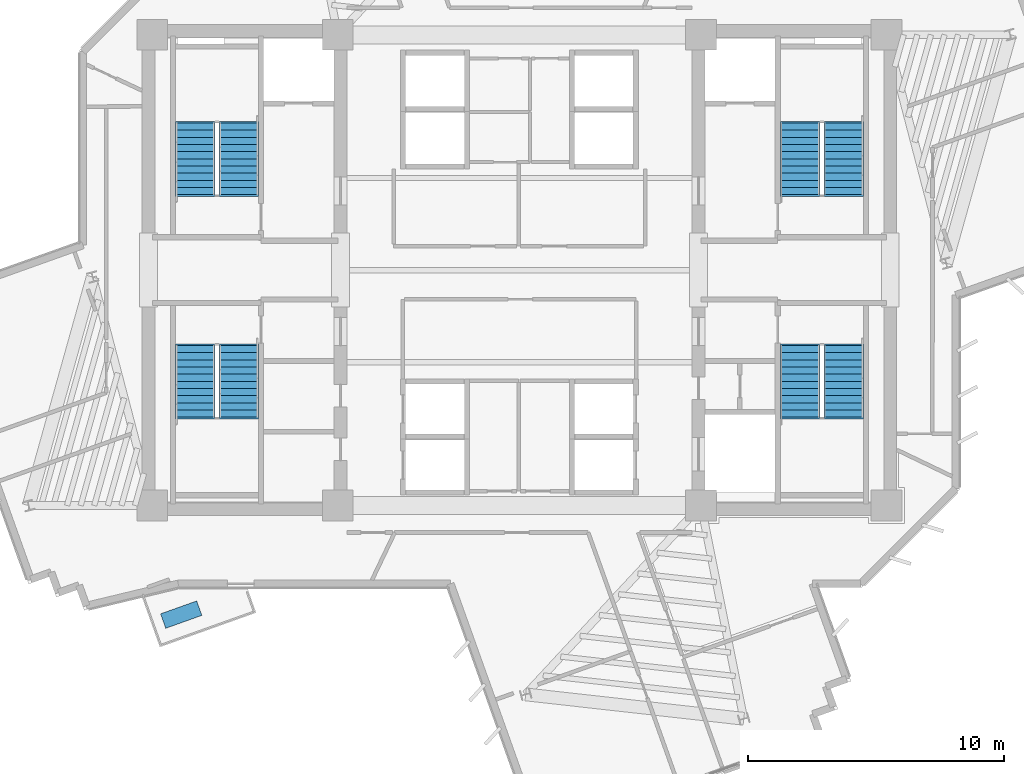
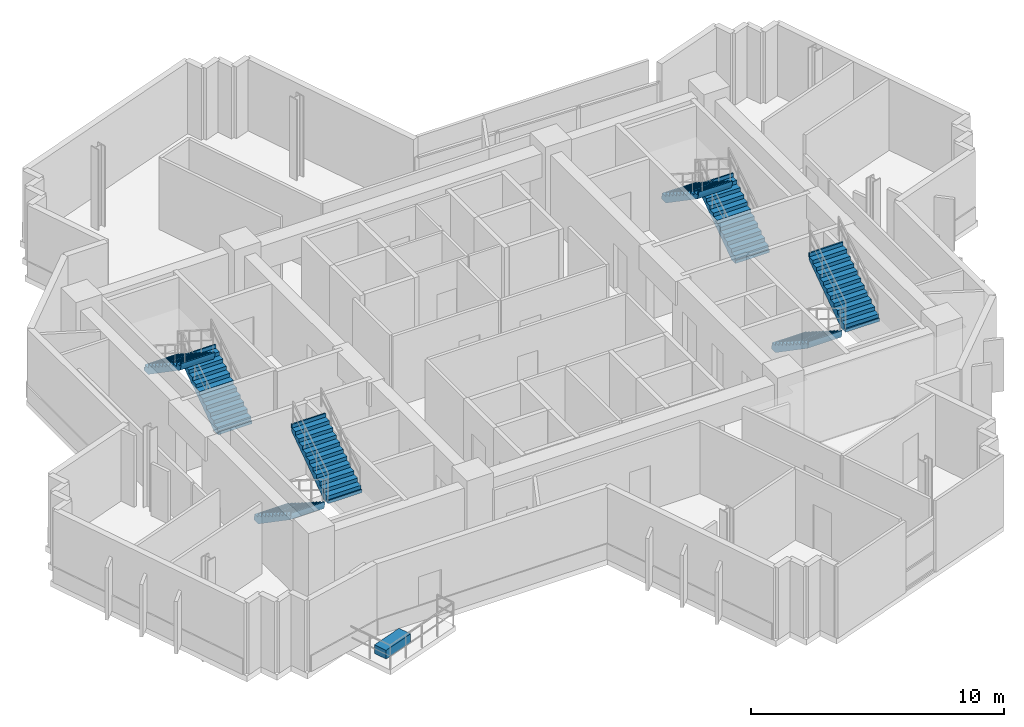
# One storey, part 10 of 13: 8 stair flights, 1 discrete accessory, 4 elements without a shape of their own.
"""IFC4 building model written with IfcOpenShell, lengths in metres."""

import ifcopenshell
import ifcopenshell.guid

model = None  # the IFC model being written
_history = None  # IfcOwnerHistory: only IFC2X3 demands one
_inside = {}  # id of a spatial element -> (the spatial element, [elements in it])
_under = {}  # id of a project, library or spatial element -> (it, [spatial elements below it])
_declared = {}  # id of a project -> (the project, [libraries it declares])
_typed = {}  # id of a type object -> (the type object, [elements of that type])
_made_of = {}  # id of a material, layer set ... -> (it, [elements and type objects made of it])


def new_model(schema):
    """Start an empty IFC model of exactly this schema.

    Asked for "IFC4X3", IfcOpenShell would pick the latest addendum, in which some entities
    have other attributes; the version numbers below select the first issue.
    IFC2X3 requires an IfcOwnerHistory on every rooted entity: one is made here for all.
    """
    global model, _history
    if schema == "IFC4X3":
        model = ifcopenshell.file(schema_version=(4, 3, 0, 0))
    else:
        model = ifcopenshell.file(schema=schema)
    _inside.clear()
    _under.clear()
    _declared.clear()
    _typed.clear()
    _made_of.clear()
    _history = None
    if model.schema == "IFC2X3":
        org = make("IfcOrganization", Name="unknown")
        user = make(
            "IfcPersonAndOrganization",
            ThePerson=make("IfcPerson", FamilyName="unknown"),
            TheOrganization=org,
        )
        app = make(
            "IfcApplication",
            ApplicationDeveloper=org,
            Version="unknown",
            ApplicationFullName="unknown",
            ApplicationIdentifier="unknown",
        )
        _history = make(
            "IfcOwnerHistory",
            OwningUser=user,
            OwningApplication=app,
            ChangeAction="ADDED",
            CreationDate=0,
        )
    return model


def make(cls, **values):
    """One entity of the class cls with the attributes given. An attribute that is None is left unset."""
    return model.create_entity(
        cls, **{name: value for name, value in values.items() if value is not None}
    )


def rooted(cls, **values):
    """An entity with a GlobalId (a new one), such as an element, a storey or a relation."""
    return make(cls, GlobalId=ifcopenshell.guid.new(), OwnerHistory=_history, **values)


def si_unit(unit_type, name, prefix=None):
    """IfcSIUnit, for example si_unit("LENGTHUNIT", "METRE", prefix="MILLI")."""
    return make("IfcSIUnit", UnitType=unit_type, Prefix=prefix, Name=name)


def assignment(units):
    """IfcUnitAssignment: the units of a project."""
    return None if units is None else make("IfcUnitAssignment", Units=units)


def point(xyz):
    """IfcCartesianPoint."""
    return None if xyz is None else make("IfcCartesianPoint", Coordinates=xyz)


def direction(xyz):
    """IfcDirection."""
    return None if xyz is None else make("IfcDirection", DirectionRatios=xyz)


def frame(location, z_axis=None, x_axis=None):
    """IfcAxis2Placement3D, a coordinate frame: its origin and axes. An axis left out is left unset."""
    return make(
        "IfcAxis2Placement3D",
        Location=point(location),
        Axis=direction(z_axis),
        RefDirection=direction(x_axis),
    )


def frame_2d(location, x_axis=None):
    """IfcAxis2Placement2D, a coordinate frame in the plane: its origin and x axis."""
    return make(
        "IfcAxis2Placement2D", Location=point(location), RefDirection=direction(x_axis)
    )


def origin():
    """The frame at (0, 0, 0) with its axes left unset."""
    return frame((0.0, 0.0, 0.0))


def origin_2d():
    """The frame at (0, 0) in the plane with its x axis left unset."""
    return frame_2d((0.0, 0.0))


def place(relative_to, where):
    """IfcLocalPlacement: puts the frame where relative to a parent placement (None: the world)."""
    return make(
        "IfcLocalPlacement", PlacementRelTo=relative_to, RelativePlacement=where
    )


def context(
    kind, dimensions, precision=None, world=None, true_north=None, identifier=None
):
    """IfcGeometricRepresentationContext, for example the 3D "Model" context."""
    return make(
        "IfcGeometricRepresentationContext",
        ContextIdentifier=identifier,
        ContextType=kind,
        CoordinateSpaceDimension=dimensions,
        Precision=precision,
        WorldCoordinateSystem=world,
        TrueNorth=true_north,
    )


def subcontext(parent, identifier, kind, view, scale=None):
    """IfcGeometricRepresentationSubContext, for example "Body" below "Model"."""
    return make(
        "IfcGeometricRepresentationSubContext",
        ContextIdentifier=identifier,
        ContextType=kind,
        ParentContext=parent,
        TargetScale=scale,
        TargetView=view,
    )


def project(units=None, contexts=None):
    """IfcProject with its units and contexts."""
    return rooted(
        "IfcProject",
        Name="project",
        RepresentationContexts=contexts,
        UnitsInContext=assignment(units),
    )


def spatial(cls, under=None, at=None, **own):
    """A site, building, storey or space (cls), placed at a placement, below another one or the project."""
    s = rooted(cls, ObjectPlacement=at, **own)
    if under is not None:
        _under.setdefault(under.id(), (under, []))[1].append(s)
    return s


def polyline(points):
    """IfcPolyline through the points."""
    return make("IfcPolyline", Points=[point(p) for p in points])


def profile(cls, at=None, kind="AREA", **sizes):
    """A parametric profile (cls). Its sizes go by their IFC names, for example OverallWidth=200.0."""
    return make(cls, ProfileType=kind, Position=at, **sizes)


def rectangle(**sizes):
    """IfcRectangleProfileDef."""
    return profile("IfcRectangleProfileDef", **sizes)


def outline(outer, holes=None, kind="AREA"):
    """IfcArbitraryClosedProfileDef: a profile drawn as a closed curve; with holes, ...WithVoids."""
    if holes is None:
        return make("IfcArbitraryClosedProfileDef", ProfileType=kind, OuterCurve=outer)
    return make(
        "IfcArbitraryProfileDefWithVoids",
        ProfileType=kind,
        OuterCurve=outer,
        InnerCurves=holes,
    )


def extrude(swept, where, along, depth):
    """IfcExtrudedAreaSolid: the profile swept, set in the frame where, extruded along a direction by depth."""
    return make(
        "IfcExtrudedAreaSolid",
        SweptArea=swept,
        Position=where,
        ExtrudedDirection=direction(along),
        Depth=depth,
    )


def shape(context_of_items, identifier, shape_type, items):
    """IfcShapeRepresentation: the items that make up one representation, for example the "Body"."""
    return make(
        "IfcShapeRepresentation",
        ContextOfItems=context_of_items,
        RepresentationIdentifier=identifier,
        RepresentationType=shape_type,
        Items=items,
    )


def source(mapping_origin, context_of_items, identifier, shape_type, items):
    """IfcRepresentationMap: a shape defined once, which mapped items show again and again."""
    return make(
        "IfcRepresentationMap",
        MappingOrigin=mapping_origin,
        MappedRepresentation=shape(context_of_items, identifier, shape_type, items),
    )


def transform(
    local_origin,
    x_axis=None,
    y_axis=None,
    z_axis=None,
    scale=None,
    scale2=None,
    scale3=None,
    uniform=True,
):
    """IfcCartesianTransformationOperator3D, or its non-uniform kind. x_axis, y_axis, z_axis: its Axis1, 2, 3."""
    if uniform:
        return make(
            "IfcCartesianTransformationOperator3D",
            Axis1=direction(x_axis),
            Axis2=direction(y_axis),
            LocalOrigin=point(local_origin),
            Scale=scale,
            Axis3=direction(z_axis),
        )
    return make(
        "IfcCartesianTransformationOperator3DnonUniform",
        Axis1=direction(x_axis),
        Axis2=direction(y_axis),
        LocalOrigin=point(local_origin),
        Scale=scale,
        Axis3=direction(z_axis),
        Scale2=scale2,
        Scale3=scale3,
    )


def mapped(mapping_source, mapping_target):
    """IfcMappedItem: shows the shape of a source again, moved by a transform."""
    return make(
        "IfcMappedItem", MappingSource=mapping_source, MappingTarget=mapping_target
    )


def material(Name=None, Category=None):
    """IfcMaterial."""
    return make("IfcMaterial", Name=Name, Category=Category)


def made_of(thing, what):
    """Note that an element or type object is made of a material, layer set ...; save() writes the relation."""
    if what is not None:
        _made_of.setdefault(what.id(), (what, []))[1].append(thing)
    return thing


def type_object(cls, material=None, **own):
    """A type object (cls), such as IfcWallType, which elements share."""
    return made_of(rooted(cls, **own), material)


def element(
    cls,
    number,
    at=None,
    inside=None,
    cuts=None,
    type_object=None,
    material=None,
    context=None,
    identifier="Body",
    shape_type=None,
    held_by="IfcProductDefinitionShape",
    body=None,
    shapes=None,
    **own,
):
    """One element of the class cls, such as IfcWall. Its Tag is "e" and its number.

    at: its placement. inside: the storey or other place that contains it. cuts: it is an
    opening in that element (IfcRelVoidsElement). A single representation is given by context,
    identifier, shape_type and body (its items); several are given by shapes. held_by: the class
    of the entity that holds the representations. save() writes the other relations.
    """
    e = rooted(cls, Tag="e%d" % number, ObjectPlacement=at, **own)
    if body is not None:
        shapes = [shape(context, identifier, shape_type, body)]
    if shapes is not None:
        e.Representation = make(held_by, Representations=shapes)
    if inside is not None:
        _inside.setdefault(inside.id(), (inside, []))[1].append(e)
    if cuts is not None:
        rooted(
            "IfcRelVoidsElement", RelatingBuildingElement=cuts, RelatedOpeningElement=e
        )
    if type_object is not None:
        _typed.setdefault(type_object.id(), (type_object, []))[1].append(e)
    return made_of(e, material)


def aggregate(whole, parts):
    """IfcRelAggregates: a whole, such as a stair, and the parts it consists of."""
    return rooted("IfcRelAggregates", RelatingObject=whole, RelatedObjects=parts)


def save(model, path):
    """Write the relations noted so far, then the file.

    IfcRelAggregates (storeys below a building ...), IfcRelContainedInSpatialStructure (elements
    in a storey), IfcRelDefinesByType, IfcRelAssociatesMaterial and IfcRelDeclares: one each for
    every whole, place, type object, material and project.
    """
    for whole, parts in _under.values():
        aggregate(whole, parts)
    for where, things in _inside.values():
        rooted(
            "IfcRelContainedInSpatialStructure",
            RelatedElements=things,
            RelatingStructure=where,
        )
    for kind, things in _typed.values():
        rooted("IfcRelDefinesByType", RelatedObjects=things, RelatingType=kind)
    for what, things in _made_of.values():
        rooted("IfcRelAssociatesMaterial", RelatedObjects=things, RelatingMaterial=what)
    for by, libraries in _declared.values():
        rooted("IfcRelDeclares", RelatingContext=by, RelatedDefinitions=libraries)
    model.write(path)


model = new_model("IFC4")

# Units and contexts
model_context = context("Model", 3, precision=1e-05, world=origin(), true_north=direction((0.0, 1.0)))
body_context = subcontext(model_context, "Body", "Model", "MODEL_VIEW")
ifc_project = project(units=[si_unit("LENGTHUNIT", "METRE"), si_unit("AREAUNIT", "SQUARE_METRE"), si_unit("VOLUMEUNIT", "CUBIC_METRE"), si_unit("PLANEANGLEUNIT", "RADIAN"), si_unit("MASSUNIT", "GRAM", prefix="KILO")], contexts=[model_context])

# Site, building, storey
site_placement = place(None, origin())
site = spatial("IfcSite", under=ifc_project, at=site_placement, CompositionType="ELEMENT")
building_placement = place(site_placement, origin())
building = spatial("IfcBuilding", under=site, at=building_placement, Name="Zahravan Cultural Tower", CompositionType="ELEMENT")
storey_placement = place(building_placement, frame((0.0, 0.0, 225.300048828125)))
storey = spatial("IfcBuildingStorey", under=building, at=storey_placement, Name="L53", CompositionType="ELEMENT", Elevation=225.300048828125)

# Stair, stair flights
ifc_material_1 = material(Name="Concrete C45/55", Category="concrete")
stair_type = type_object("IfcStairType", Name="STR-DL-1550-390", PredefinedType="HALF_TURN_STAIR", material=ifc_material_1)
stair_1_placement = place(storey_placement, origin())
stair_1 = element("IfcStair", 1, at=stair_1_placement, inside=storey, type_object=stair_type, Name="L53 West Core North Exit Stair ST-W1", PredefinedType="HALF_TURN_STAIR")
stair_flight_type = type_object("IfcStairFlightType", Name="FLG-DL-1550-390", PredefinedType="STRAIGHT", material=ifc_material_1)
stair_flight_1_placement = place(storey_placement, frame((25.02490234375, 29.949951171875, 0.0), z_axis=(0.0, 0.0, 1.0), x_axis=(0.0, 1.0, 0.0)))
stair_flight_1 = element("IfcStairFlight", 2, at=stair_flight_1_placement, type_object=stair_flight_type, Name="ST-W1 flight 1", NumberOfRisers=11, NumberOfTreads=10, PredefinedType="STRAIGHT", RiserHeight=0.177272727, TreadLength=0.28, context=body_context, shape_type="SweptSolid", body=[
    extrude(outline(polyline([(-0.06494140625, -0.139892578125), (-0.06494140625, 0.0), (0.0, 0.0), (0.0, 0.17724609375), (0.280029296875, 0.17724609375), (0.280029296875, 0.3544921875), (0.56005859375, 0.3544921875), (0.56005859375, 0.53173828125), (0.840087890625, 0.53173828125), (0.840087890625, 0.708984375), (1.1201171875, 0.708984375), (1.1201171875, 0.886474609375), (1.39990234375, 0.886474609375), (1.39990234375, 1.063720703125), (1.679931640625, 1.063720703125), (1.679931640625, 1.240966796875), (1.9599609375, 1.240966796875), (1.9599609375, 1.418212890625), (2.239990234375, 1.418212890625), (2.239990234375, 1.595458984375), (2.52001953125, 1.595458984375), (2.52001953125, 1.772705078125), (2.800048828125, 1.772705078125), (2.800048828125, 1.949951171875), (2.864990234375, 1.949951171875), (2.864990234375, 1.800048828125), (2.800048828125, 1.59521484375), (0.2802734375, -0.139892578125), (-0.06494140625, -0.139892578125)])), frame((0.0, 0.77490234375, 0.0), z_axis=(0.0, -1.0, 0.0), x_axis=(1.0, 0.0, 0.0)), (0.0, 0.0, 1.0), 1.550048828125),
])
stair_flight_2_placement = place(storey_placement, frame((23.324951171875, 32.75, 1.949951171875), z_axis=(0.0, 0.0, 1.0), x_axis=(0.0, -1.0, 0.0)))
stair_flight_2 = element("IfcStairFlight", 3, at=stair_flight_2_placement, type_object=stair_flight_type, Name="ST-W1 flight 2", NumberOfRisers=11, NumberOfTreads=10, PredefinedType="STRAIGHT", RiserHeight=0.177272727, TreadLength=0.28, context=body_context, shape_type="SweptSolid", body=[
    extrude(outline(polyline([(-0.06494140625, -0.139892578125), (-0.06494140625, 0.0), (0.0, 0.0), (0.0, 0.17724609375), (0.280029296875, 0.17724609375), (0.280029296875, 0.3544921875), (0.56005859375, 0.3544921875), (0.56005859375, 0.53173828125), (0.840087890625, 0.53173828125), (0.840087890625, 0.708984375), (1.1201171875, 0.708984375), (1.1201171875, 0.886474609375), (1.39990234375, 0.886474609375), (1.39990234375, 1.063720703125), (1.679931640625, 1.063720703125), (1.679931640625, 1.240966796875), (1.9599609375, 1.240966796875), (1.9599609375, 1.418212890625), (2.239990234375, 1.418212890625), (2.239990234375, 1.595458984375), (2.52001953125, 1.595458984375), (2.52001953125, 1.772705078125), (2.800048828125, 1.772705078125), (2.800048828125, 1.949951171875), (2.864990234375, 1.949951171875), (2.864990234375, 1.800048828125), (2.800048828125, 1.59521484375), (0.2802734375, -0.139892578125), (-0.06494140625, -0.139892578125)])), frame((0.0, 0.77490234375, 0.0), z_axis=(0.0, -1.0, 0.0), x_axis=(1.0, 0.0, 0.0)), (0.0, 0.0, 1.0), 1.550048828125),
])
aggregate(stair_1, [stair_flight_1, stair_flight_2])

stair_2_placement = place(storey_placement, origin())
stair_2 = element("IfcStair", 4, at=stair_2_placement, inside=storey, type_object=stair_type, Name="L53 West Core South Exit Stair ST-W2", PredefinedType="HALF_TURN_STAIR")
stair_flight_3_placement = place(storey_placement, frame((23.324951171875, 24.050048828125, 0.0), z_axis=(0.0, 0.0, 1.0), x_axis=(0.0, -1.0, 0.0)))
stair_flight_3 = element("IfcStairFlight", 5, at=stair_flight_3_placement, type_object=stair_flight_type, Name="ST-W2 flight 1", NumberOfRisers=11, NumberOfTreads=10, PredefinedType="STRAIGHT", RiserHeight=0.177272727, TreadLength=0.28, context=body_context, shape_type="SweptSolid", body=[
    extrude(outline(polyline([(-0.06494140625, -0.139892578125), (-0.06494140625, 0.0), (0.0, 0.0), (0.0, 0.17724609375), (0.280029296875, 0.17724609375), (0.280029296875, 0.3544921875), (0.56005859375, 0.3544921875), (0.56005859375, 0.53173828125), (0.840087890625, 0.53173828125), (0.840087890625, 0.708984375), (1.1201171875, 0.708984375), (1.1201171875, 0.886474609375), (1.39990234375, 0.886474609375), (1.39990234375, 1.063720703125), (1.679931640625, 1.063720703125), (1.679931640625, 1.240966796875), (1.9599609375, 1.240966796875), (1.9599609375, 1.418212890625), (2.239990234375, 1.418212890625), (2.239990234375, 1.595458984375), (2.52001953125, 1.595458984375), (2.52001953125, 1.772705078125), (2.800048828125, 1.772705078125), (2.800048828125, 1.949951171875), (2.864990234375, 1.949951171875), (2.864990234375, 1.800048828125), (2.800048828125, 1.59521484375), (0.2802734375, -0.139892578125), (-0.06494140625, -0.139892578125)])), frame((0.0, 0.77490234375, 0.0), z_axis=(0.0, -1.0, 0.0), x_axis=(1.0, 0.0, 0.0)), (0.0, 0.0, 1.0), 1.550048828125),
])
stair_flight_4_placement = place(storey_placement, frame((25.02490234375, 21.25, 1.949951171875), z_axis=(0.0, 0.0, 1.0), x_axis=(0.0, 1.0, 0.0)))
stair_flight_4 = element("IfcStairFlight", 6, at=stair_flight_4_placement, type_object=stair_flight_type, Name="ST-W2 flight 2", NumberOfRisers=11, NumberOfTreads=10, PredefinedType="STRAIGHT", RiserHeight=0.177272727, TreadLength=0.28, context=body_context, shape_type="SweptSolid", body=[
    extrude(outline(polyline([(-0.06494140625, -0.139892578125), (-0.06494140625, 0.0), (0.0, 0.0), (0.0, 0.17724609375), (0.280029296875, 0.17724609375), (0.280029296875, 0.3544921875), (0.56005859375, 0.3544921875), (0.56005859375, 0.53173828125), (0.840087890625, 0.53173828125), (0.840087890625, 0.708984375), (1.1201171875, 0.708984375), (1.1201171875, 0.886474609375), (1.39990234375, 0.886474609375), (1.39990234375, 1.063720703125), (1.679931640625, 1.063720703125), (1.679931640625, 1.240966796875), (1.9599609375, 1.240966796875), (1.9599609375, 1.418212890625), (2.239990234375, 1.418212890625), (2.239990234375, 1.595458984375), (2.52001953125, 1.595458984375), (2.52001953125, 1.772705078125), (2.800048828125, 1.772705078125), (2.800048828125, 1.949951171875), (2.864990234375, 1.949951171875), (2.864990234375, 1.800048828125), (2.800048828125, 1.59521484375), (0.2802734375, -0.139892578125), (-0.06494140625, -0.139892578125)])), frame((0.0, 0.77490234375, 0.0), z_axis=(0.0, -1.0, 0.0), x_axis=(1.0, 0.0, 0.0)), (0.0, 0.0, 1.0), 1.550048828125),
])
aggregate(stair_2, [stair_flight_3, stair_flight_4])

stair_3_placement = place(storey_placement, origin())
stair_3 = element("IfcStair", 7, at=stair_3_placement, inside=storey, type_object=stair_type, Name="L53 East Core North Exit Stair ST-E1", PredefinedType="HALF_TURN_STAIR")
stair_flight_5_placement = place(storey_placement, frame((48.675048828125, 29.949951171875, 0.0), z_axis=(0.0, 0.0, 1.0), x_axis=(0.0, 1.0, 0.0)))
stair_flight_5 = element("IfcStairFlight", 8, at=stair_flight_5_placement, type_object=stair_flight_type, Name="ST-E1 flight 1", NumberOfRisers=11, NumberOfTreads=10, PredefinedType="STRAIGHT", RiserHeight=0.177272727, TreadLength=0.28, context=body_context, shape_type="SweptSolid", body=[
    extrude(outline(polyline([(-0.06494140625, -0.139892578125), (-0.06494140625, 0.0), (0.0, 0.0), (0.0, 0.17724609375), (0.280029296875, 0.17724609375), (0.280029296875, 0.3544921875), (0.56005859375, 0.3544921875), (0.56005859375, 0.53173828125), (0.840087890625, 0.53173828125), (0.840087890625, 0.708984375), (1.1201171875, 0.708984375), (1.1201171875, 0.886474609375), (1.39990234375, 0.886474609375), (1.39990234375, 1.063720703125), (1.679931640625, 1.063720703125), (1.679931640625, 1.240966796875), (1.9599609375, 1.240966796875), (1.9599609375, 1.418212890625), (2.239990234375, 1.418212890625), (2.239990234375, 1.595458984375), (2.52001953125, 1.595458984375), (2.52001953125, 1.772705078125), (2.800048828125, 1.772705078125), (2.800048828125, 1.949951171875), (2.864990234375, 1.949951171875), (2.864990234375, 1.800048828125), (2.800048828125, 1.59521484375), (0.2802734375, -0.139892578125), (-0.06494140625, -0.139892578125)])), frame((0.0, 0.77490234375, 0.0), z_axis=(0.0, -1.0, 0.0), x_axis=(1.0, 0.0, 0.0)), (0.0, 0.0, 1.0), 1.550048828125),
])
stair_flight_6_placement = place(storey_placement, frame((46.97509765625, 32.75, 1.949951171875), z_axis=(0.0, 0.0, 1.0), x_axis=(0.0, -1.0, 0.0)))
stair_flight_6 = element("IfcStairFlight", 9, at=stair_flight_6_placement, type_object=stair_flight_type, Name="ST-E1 flight 2", NumberOfRisers=11, NumberOfTreads=10, PredefinedType="STRAIGHT", RiserHeight=0.177272727, TreadLength=0.28, context=body_context, shape_type="SweptSolid", body=[
    extrude(outline(polyline([(-0.06494140625, -0.139892578125), (-0.06494140625, 0.0), (0.0, 0.0), (0.0, 0.17724609375), (0.280029296875, 0.17724609375), (0.280029296875, 0.3544921875), (0.56005859375, 0.3544921875), (0.56005859375, 0.53173828125), (0.840087890625, 0.53173828125), (0.840087890625, 0.708984375), (1.1201171875, 0.708984375), (1.1201171875, 0.886474609375), (1.39990234375, 0.886474609375), (1.39990234375, 1.063720703125), (1.679931640625, 1.063720703125), (1.679931640625, 1.240966796875), (1.9599609375, 1.240966796875), (1.9599609375, 1.418212890625), (2.239990234375, 1.418212890625), (2.239990234375, 1.595458984375), (2.52001953125, 1.595458984375), (2.52001953125, 1.772705078125), (2.800048828125, 1.772705078125), (2.800048828125, 1.949951171875), (2.864990234375, 1.949951171875), (2.864990234375, 1.800048828125), (2.800048828125, 1.59521484375), (0.2802734375, -0.139892578125), (-0.06494140625, -0.139892578125)])), frame((0.0, 0.77490234375, 0.0), z_axis=(0.0, -1.0, 0.0), x_axis=(1.0, 0.0, 0.0)), (0.0, 0.0, 1.0), 1.550048828125),
])
aggregate(stair_3, [stair_flight_5, stair_flight_6])

stair_4_placement = place(storey_placement, origin())
stair_4 = element("IfcStair", 10, at=stair_4_placement, inside=storey, type_object=stair_type, Name="L53 East Core South Exit Stair ST-E2", PredefinedType="HALF_TURN_STAIR")
stair_flight_7_placement = place(storey_placement, frame((46.97509765625, 24.050048828125, 0.0), z_axis=(0.0, 0.0, 1.0), x_axis=(0.0, -1.0, 0.0)))
stair_flight_7 = element("IfcStairFlight", 11, at=stair_flight_7_placement, type_object=stair_flight_type, Name="ST-E2 flight 1", NumberOfRisers=11, NumberOfTreads=10, PredefinedType="STRAIGHT", RiserHeight=0.177272727, TreadLength=0.28, context=body_context, shape_type="SweptSolid", body=[
    extrude(outline(polyline([(-0.06494140625, -0.139892578125), (-0.06494140625, 0.0), (0.0, 0.0), (0.0, 0.17724609375), (0.280029296875, 0.17724609375), (0.280029296875, 0.3544921875), (0.56005859375, 0.3544921875), (0.56005859375, 0.53173828125), (0.840087890625, 0.53173828125), (0.840087890625, 0.708984375), (1.1201171875, 0.708984375), (1.1201171875, 0.886474609375), (1.39990234375, 0.886474609375), (1.39990234375, 1.063720703125), (1.679931640625, 1.063720703125), (1.679931640625, 1.240966796875), (1.9599609375, 1.240966796875), (1.9599609375, 1.418212890625), (2.239990234375, 1.418212890625), (2.239990234375, 1.595458984375), (2.52001953125, 1.595458984375), (2.52001953125, 1.772705078125), (2.800048828125, 1.772705078125), (2.800048828125, 1.949951171875), (2.864990234375, 1.949951171875), (2.864990234375, 1.800048828125), (2.800048828125, 1.59521484375), (0.2802734375, -0.139892578125), (-0.06494140625, -0.139892578125)])), frame((0.0, 0.77490234375, 0.0), z_axis=(0.0, -1.0, 0.0), x_axis=(1.0, 0.0, 0.0)), (0.0, 0.0, 1.0), 1.550048828125),
])
stair_flight_8_placement = place(storey_placement, frame((48.675048828125, 21.25, 1.949951171875), z_axis=(0.0, 0.0, 1.0), x_axis=(0.0, 1.0, 0.0)))
stair_flight_8 = element("IfcStairFlight", 12, at=stair_flight_8_placement, type_object=stair_flight_type, Name="ST-E2 flight 2", NumberOfRisers=11, NumberOfTreads=10, PredefinedType="STRAIGHT", RiserHeight=0.177272727, TreadLength=0.28, context=body_context, shape_type="SweptSolid", body=[
    extrude(outline(polyline([(-0.06494140625, -0.139892578125), (-0.06494140625, 0.0), (0.0, 0.0), (0.0, 0.17724609375), (0.280029296875, 0.17724609375), (0.280029296875, 0.3544921875), (0.56005859375, 0.3544921875), (0.56005859375, 0.53173828125), (0.840087890625, 0.53173828125), (0.840087890625, 0.708984375), (1.1201171875, 0.708984375), (1.1201171875, 0.886474609375), (1.39990234375, 0.886474609375), (1.39990234375, 1.063720703125), (1.679931640625, 1.063720703125), (1.679931640625, 1.240966796875), (1.9599609375, 1.240966796875), (1.9599609375, 1.418212890625), (2.239990234375, 1.418212890625), (2.239990234375, 1.595458984375), (2.52001953125, 1.595458984375), (2.52001953125, 1.772705078125), (2.800048828125, 1.772705078125), (2.800048828125, 1.949951171875), (2.864990234375, 1.949951171875), (2.864990234375, 1.800048828125), (2.800048828125, 1.59521484375), (0.2802734375, -0.139892578125), (-0.06494140625, -0.139892578125)])), frame((0.0, 0.77490234375, 0.0), z_axis=(0.0, -1.0, 0.0), x_axis=(1.0, 0.0, 0.0)), (0.0, 0.0, 1.0), 1.550048828125),
])
aggregate(stair_4, [stair_flight_7, stair_flight_8])

# Discrete accessory
ifc_material_2 = material(Name="Planted soil and terracotta planter", Category="masonry")
discrete_accessory_type = type_object("IfcDiscreteAccessoryType", Name="ACC-PLANTER-TC", PredefinedType="USERDEFINED", material=ifc_material_2)
shared_shape = source(origin(), body_context, "Body", "SweptSolid", [
    extrude(rectangle(XDim=1.5, YDim=0.60009765625, at=origin_2d()), origin(), (0.0, 0.0, 1.0), 0.419921875),
])
discrete_accessory_placement = place(storey_placement, frame((22.77783203125, 13.531005859375, 0.0), z_axis=(0.0, 0.0, 1.0), x_axis=(0.94166630375, 0.336548023885, 0.0)))
element("IfcDiscreteAccessory", 13, at=discrete_accessory_placement, inside=storey, type_object=discrete_accessory_type, Name="L53 Terracotta Sculpture Planter SW", ObjectType="PLANTER", PredefinedType="USERDEFINED", context=body_context, shape_type="MappedRepresentation", body=[
    mapped(shared_shape, transform((0.0, 0.0, 0.0), x_axis=(1.0, 0.0, 0.0), y_axis=(0.0, 1.0, 0.0), z_axis=(0.0, 0.0, 1.0), scale=1.0)),
])

save(model, "model.ifc")
